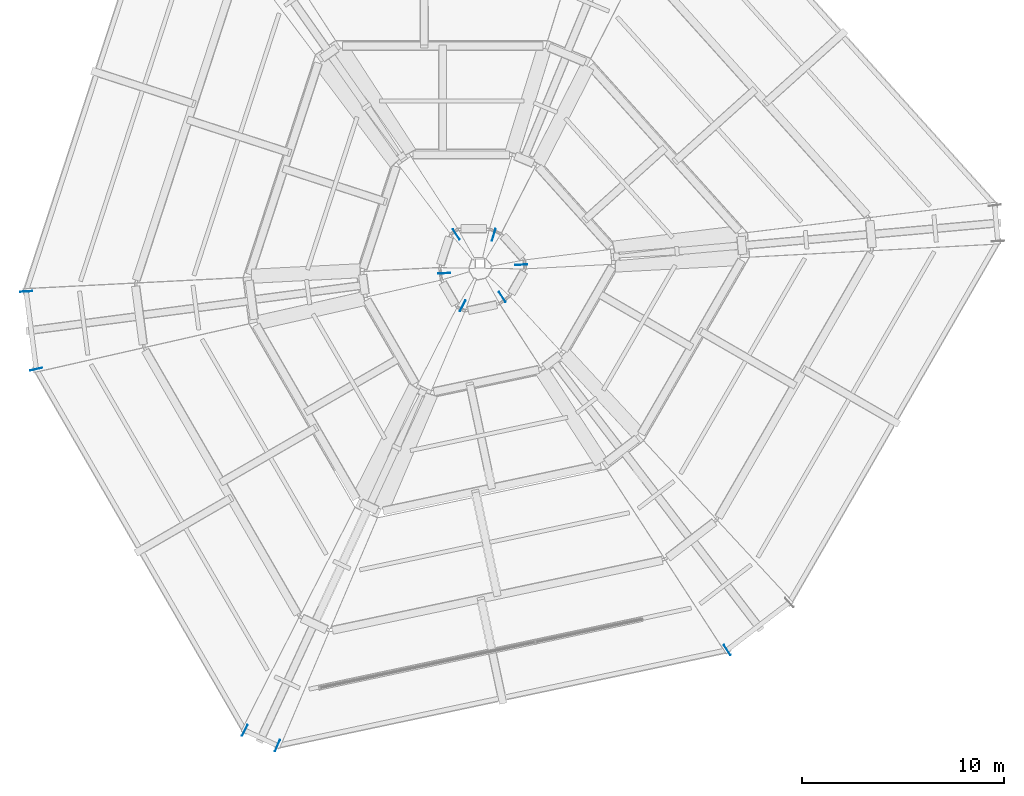
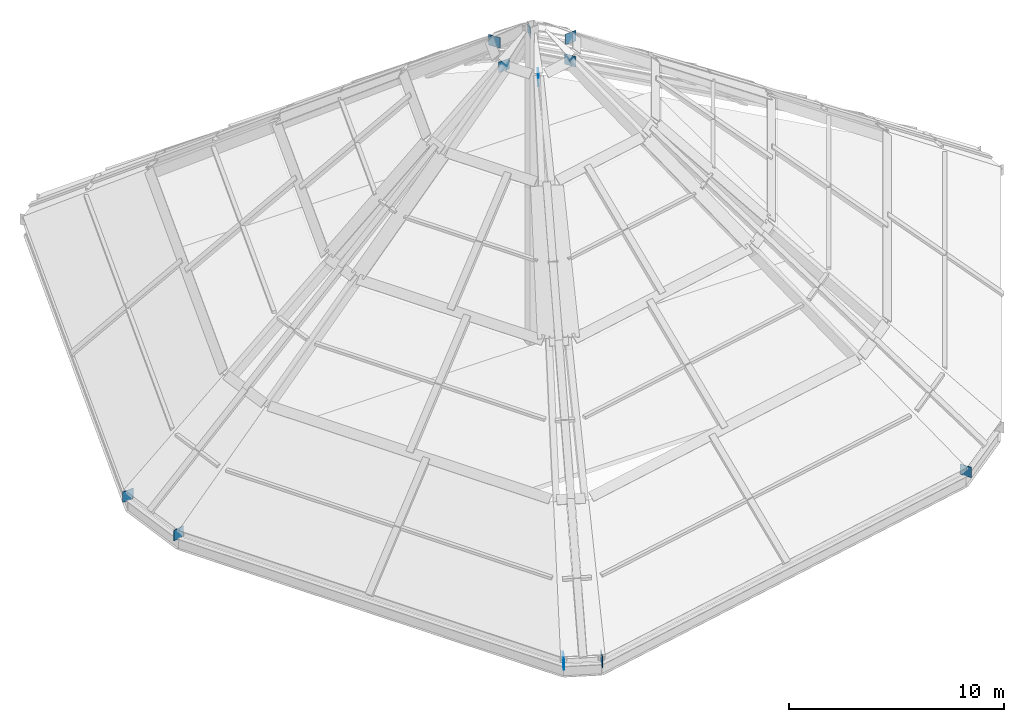
# One storey, part 7 of 10: 11 discrete accessories.
"""IFC4 building model written with IfcOpenShell, lengths in metres."""

from ifc_helpers import new_model, si_unit, direction, frame, origin, origin_2d, place, context, subcontext, project, spatial, rectangle, extrude, material, type_object, element, save


model = new_model("IFC4")

# Units and contexts
model_context = context("Model", 3, precision=1e-05, world=origin(), true_north=direction((0.0, 1.0)))
body_context = subcontext(model_context, "Body", "Model", "MODEL_VIEW")
ifc_project = project(units=[si_unit("LENGTHUNIT", "METRE"), si_unit("AREAUNIT", "SQUARE_METRE"), si_unit("VOLUMEUNIT", "CUBIC_METRE"), si_unit("PLANEANGLEUNIT", "RADIAN"), si_unit("MASSUNIT", "GRAM", prefix="KILO")], contexts=[model_context])

# Site, building, storey
site_placement = place(None, origin())
site = spatial("IfcSite", under=ifc_project, at=site_placement, CompositionType="ELEMENT")
building_placement = place(site_placement, origin())
building = spatial("IfcBuilding", under=site, at=building_placement, Name="Isthmus Gate Tower", CompositionType="ELEMENT")
storey_placement = place(building_placement, frame((0.0, 0.0, 315.60009765625)))
storey = spatial("IfcBuildingStorey", under=building, at=storey_placement, Name="C4", CompositionType="ELEMENT", Elevation=315.60009765625)

# Discrete accessories
ifc_material = material(Name="Structural steel ASTM A992 Gr 50", Category="steel")
discrete_accessory_type = type_object("IfcDiscreteAccessoryType", Name="GUSSET PLATE 600 X 20", PredefinedType="USERDEFINED", material=ifc_material)
for number, where, z_axis, x_axis, name in (
    (1, (0.67578125, 1.66064453125, 16.259765625), (0.0, 0.0, 1.0), (-0.295896295985, -0.955220069943, 0.0), "GUSSET PLATE"),
    (2, (-1.17578125, 1.678955078125, 16.259765625), (0.0, 0.0, 1.0), (0.544833055339, -0.838544537762, 0.0), "GUSSET PLATE"),
    (3, (-22.449462890625, -1.1435546875, -0.300048828125), (0.0, 0.0, 1.0), (0.998704978166, 0.050875992243, 0.0), "GUSSET PLATE"),
    (4, (-1.77587890625, -0.2451171875, 16.259765625), (0.0, 0.0, 1.0), (0.998704978166, 0.050875992243, 0.0), "GUSSET PLATE"),
    (5, (-21.949462890625, -4.982177734375, -0.300048828125), (0.0, 0.0, 1.0), (0.975192994768, 0.221356325763, 0.0), "GUSSET PLATE"),
    (6, (-11.634765625, -22.847900390625, -0.300048828125), (0.0, 0.0, 1.0), (0.453784344237, 0.891111535626, 0.0), "GUSSET PLATE"),
    (7, (-0.8662109375, -1.857666015625, 16.259765625), (0.0, 0.0, 1.0), (0.453784344237, 0.891111535626, 0.0), "GUSSET PLATE"),
    (8, (-10.020263671875, -23.596435546875, -0.300048828125), (0.0, 0.0, 1.0), (0.390866803384, 0.920447251076, 0.0), "GUSSET PLATE"),
    (9, (12.215087890625, -18.8701171875, -0.300048828125), (0.0, 0.0, 1.0), (-0.543412390808, 0.839465885856, 0.0), "GUSSET PLATE"),
    (10, (1.10009765625, -1.41552734375, 16.259765625), (0.0, 0.0, 1.0), (-0.543412390808, 0.839465885856, 0.0), "GUSSET PLATE"),
    (11, (2.0419921875, 0.1787109375, 16.259765625), (0.0, 0.0, 1.0), (-0.998617399576, -0.052566997864, 0.0), "GUSSET PLATE"),
):
    element("IfcDiscreteAccessory", number, at=place(storey_placement, frame(where, z_axis=z_axis, x_axis=x_axis)), inside=storey, type_object=discrete_accessory_type, Name=name, ObjectType="GUSSET PLATE", PredefinedType="USERDEFINED", context=body_context, shape_type="SweptSolid", body=[
        extrude(rectangle(XDim=0.60009765625, YDim=0.02001953125, at=origin_2d()), origin(), (0.0, 0.0, 1.0), 0.60009765625),
    ])

save(model, "model.ifc")
